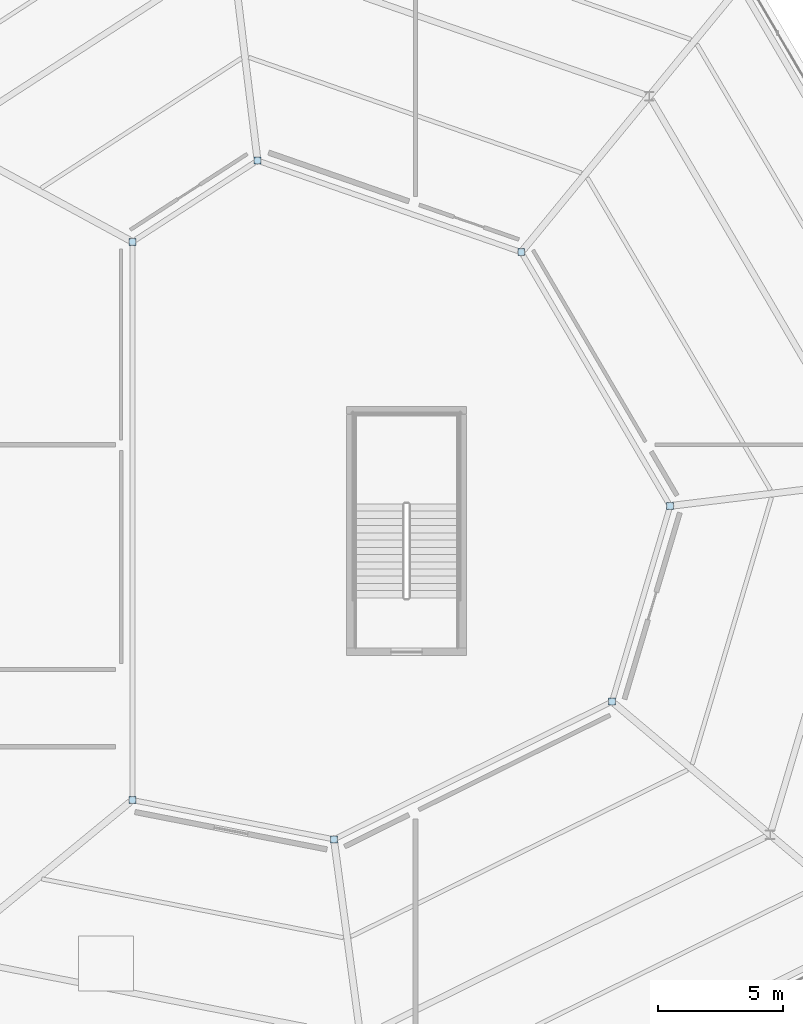
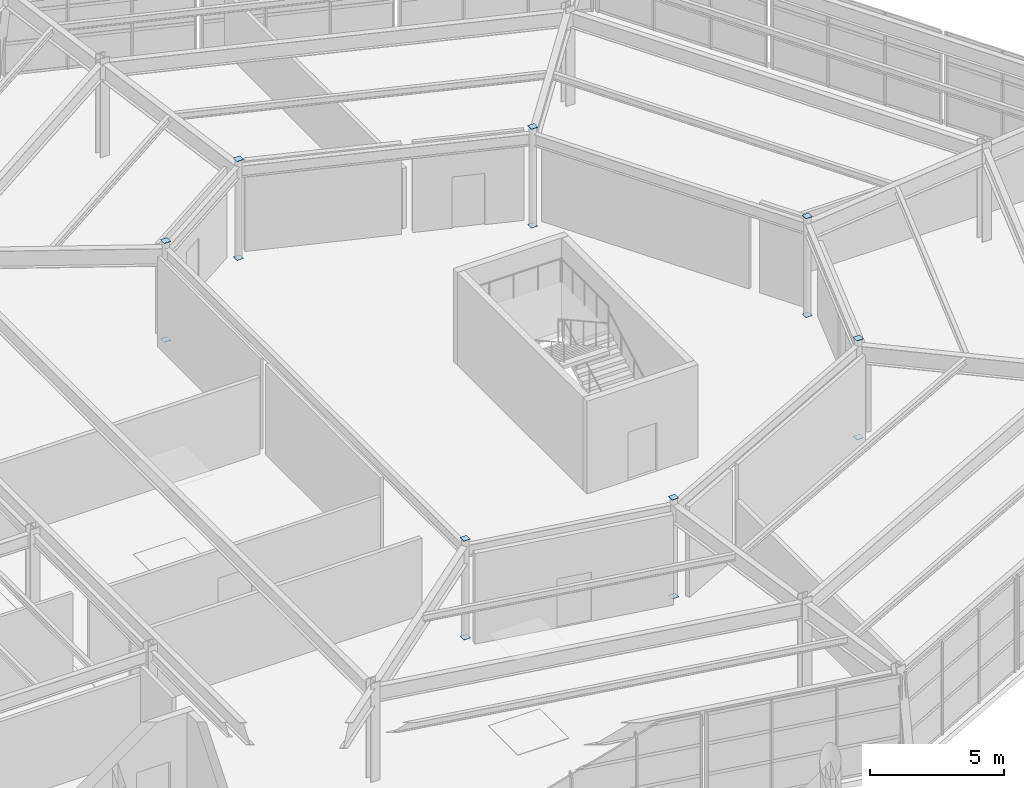
# One storey, part 54 of 77: 14 plates.
"""IFC4 building model written with IfcOpenShell, lengths in metres."""

from ifc_helpers import new_model, si_unit, direction, frame, origin, origin_2d, place, context, subcontext, project, spatial, rectangle, extrude, material, layer, layer_set, type_object, element, save


model = new_model("IFC4")

# Units and contexts
model_context = context("Model", 3, precision=1e-05, world=origin(), true_north=direction((0.0, 1.0)))
body_context = subcontext(model_context, "Body", "Model", "MODEL_VIEW")
ifc_project = project(units=[si_unit("LENGTHUNIT", "METRE"), si_unit("AREAUNIT", "SQUARE_METRE"), si_unit("VOLUMEUNIT", "CUBIC_METRE"), si_unit("PLANEANGLEUNIT", "RADIAN"), si_unit("MASSUNIT", "GRAM", prefix="KILO")], contexts=[model_context])

# Site, building, storey
site_placement = place(None, origin())
site = spatial("IfcSite", under=ifc_project, at=site_placement, CompositionType="ELEMENT")
building_placement = place(site_placement, origin())
building = spatial("IfcBuilding", under=site, at=building_placement, Name="Sarnbrook Museum", CompositionType="ELEMENT")
storey_placement = place(building_placement, frame((0.0, 0.0, 5.60009765625)))
storey = spatial("IfcBuildingStorey", under=building, at=storey_placement, Name="L01", CompositionType="ELEMENT", Elevation=5.60009765625)

# Plates
ifc_material = material(Name="Structural Steel Grade 350L0 (AS/NZS 3678, fy = 340 MPa for 20 < t <= 40 mm)", Category="steel")
ifc_layer = layer(ifc_material, 0.01611328125)
ifc_layer_set = layer_set([ifc_layer], Name="Structural Steel Grade 350L0 (AS/NZS 3678, fy = 340 MPa for 20 < t <= 40 mm)")
plate_type = type_object("IfcPlateType", Name="EndCapPlate_CAP273", PredefinedType="USERDEFINED", material=ifc_layer_set)
for number, where, z_axis, x_axis, name in (
    (1, (132.800048828125, 74.405029296875, -0.01611328125), (0.0, 0.0, 1.0), (1.0, 0.0, 0.0), "Hollow End Cap Plate COL:L01:V1R2-0-1"),
    (2, (132.800048828125, 74.405029296875, 4.499755859375), (0.0, 0.0, 1.0), (1.0, 0.0, 0.0), "Hollow End Cap Plate COL:L01:V1R2-0-2"),
    (3, (140.88720703125, 72.828857421875, -0.01611328125), (0.0, 0.0, 1.0), (1.0, 0.0, 0.0), "Hollow End Cap Plate COL:L01:V1R2-1-1"),
    (4, (140.88720703125, 72.828857421875, 4.499755859375), (0.0, 0.0, 1.0), (1.0, 0.0, 0.0), "Hollow End Cap Plate COL:L01:V1R2-1-2"),
    (5, (152.05029296875, 78.356201171875, -0.01611328125), (0.0, 0.0, 1.0), (1.0, 0.0, 0.0), "Hollow End Cap Plate COL:L01:V1R2-2-1"),
    (6, (152.05029296875, 78.356201171875, 4.499755859375), (0.0, 0.0, 1.0), (1.0, 0.0, 0.0), "Hollow End Cap Plate COL:L01:V1R2-2-2"),
    (7, (154.382080078125, 86.210205078125, -0.01611328125), (0.0, 0.0, 1.0), (1.0, 0.0, 0.0), "Hollow End Cap Plate COL:L01:V1R2-3-1"),
    (8, (154.382080078125, 86.210205078125, 4.499755859375), (0.0, 0.0, 1.0), (1.0, 0.0, 0.0), "Hollow End Cap Plate COL:L01:V1R2-3-2"),
    (9, (148.40576171875, 96.39599609375, -0.01611328125), (0.0, 0.0, 1.0), (1.0, 0.0, 0.0), "Hollow End Cap Plate COL:L01:V1R2-4-1"),
    (10, (148.40576171875, 96.39599609375, 4.499755859375), (0.0, 0.0, 1.0), (1.0, 0.0, 0.0), "Hollow End Cap Plate COL:L01:V1R2-4-2"),
    (11, (137.822509765625, 100.07080078125, -0.01611328125), (0.0, 0.0, 1.0), (1.0, 0.0, 0.0), "Hollow End Cap Plate COL:L01:V1R2-5-1"),
    (12, (137.822509765625, 100.07080078125, 4.499755859375), (0.0, 0.0, 1.0), (1.0, 0.0, 0.0), "Hollow End Cap Plate COL:L01:V1R2-5-2"),
    (13, (132.800048828125, 96.81201171875, -0.01611328125), (0.0, 0.0, 1.0), (1.0, 0.0, 0.0), "Hollow End Cap Plate COL:L01:V1R2-6-1"),
    (14, (132.800048828125, 96.81201171875, 4.499755859375), (0.0, 0.0, 1.0), (1.0, 0.0, 0.0), "Hollow End Cap Plate COL:L01:V1R2-6-2"),
):
    element("IfcPlate", number, at=place(storey_placement, frame(where, z_axis=z_axis, x_axis=x_axis)), inside=storey, type_object=plate_type, Name=name, ObjectType="END CAP PLATE", PredefinedType="USERDEFINED", context=body_context, shape_type="SweptSolid", body=[
        extrude(rectangle(XDim=0.280029296875, YDim=0.280029296875, at=origin_2d()), origin(), (0.0, 0.0, 1.0), 0.01611328125),
    ])

save(model, "model.ifc")
